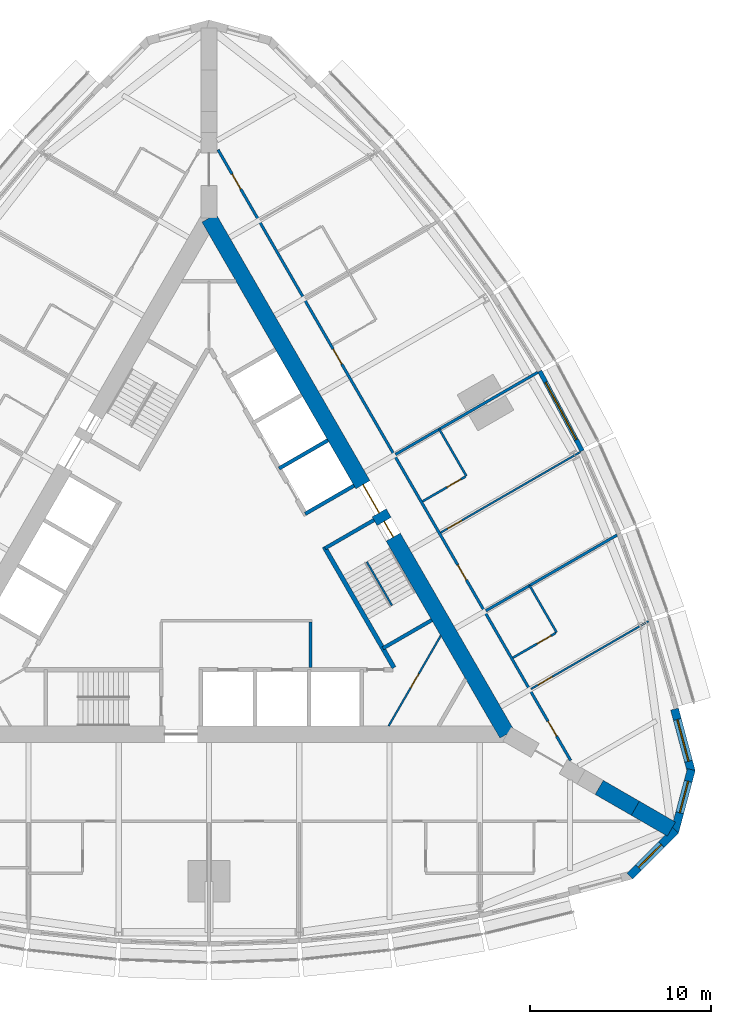
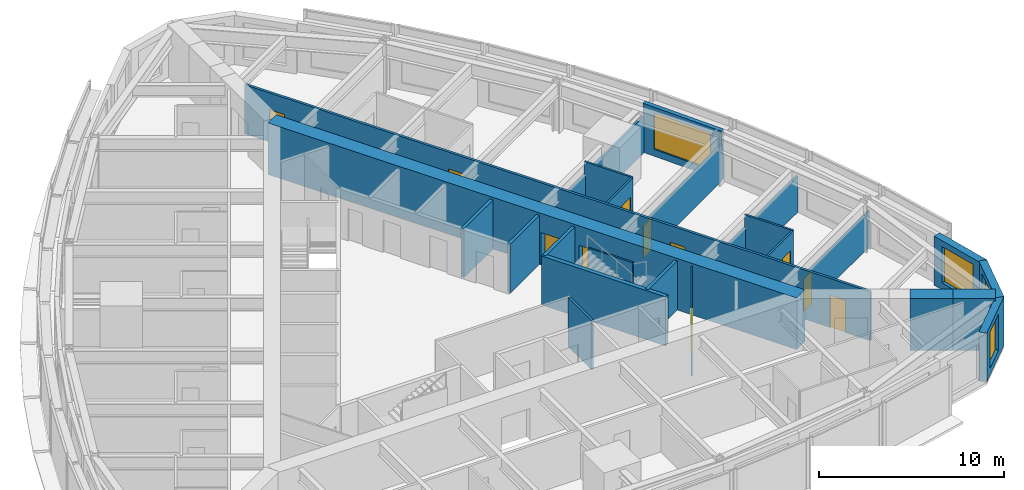
# One storey, part 11 of 14: 24 walls, 11 doors, 4 windows, 15 openings.
"""IFC4 building model written with IfcOpenShell, lengths in metres."""

from ifc_helpers import new_model, si_unit, direction, frame, frame_2d, origin, place, context, subcontext, project, spatial, polyline, rectangle, outline, extrude, material, layer, layer_set, type_object, element, fill, save


model = new_model("IFC4")

# Units and contexts
model_context = context("Model", 3, precision=1e-05, world=origin(), true_north=direction((0.0, 1.0)))
body_context = subcontext(model_context, "Body", "Model", "MODEL_VIEW")
ifc_project = project(units=[si_unit("LENGTHUNIT", "METRE"), si_unit("AREAUNIT", "SQUARE_METRE"), si_unit("VOLUMEUNIT", "CUBIC_METRE"), si_unit("PLANEANGLEUNIT", "RADIAN"), si_unit("MASSUNIT", "GRAM", prefix="KILO")], contexts=[model_context])

# Site, building, storey
site_placement = place(None, origin())
site = spatial("IfcSite", under=ifc_project, at=site_placement, CompositionType="ELEMENT")
building_placement = place(site_placement, origin())
building = spatial("IfcBuilding", under=site, at=building_placement, Name="Trikona Tower", CompositionType="ELEMENT")
storey_placement = place(building_placement, frame((0.0, 0.0, 179.300048828125)))
storey = spatial("IfcBuildingStorey", under=building, at=storey_placement, Name="L48", CompositionType="ELEMENT", Elevation=179.300048828125)

# Wall
ifc_material_1 = material(Name="Metal stud and cement board", Category="gypsum")
ifc_layer_1 = layer(ifc_material_1, 0.1201171875)
ifc_layer_set_1 = layer_set([ifc_layer_1], Name="Bathroom wall 120")
wall_type_1 = type_object("IfcWallType", Name="Bathroom wall 120", PredefinedType="PLUMBINGWALL", material=ifc_layer_set_1)
wall_1_placement = place(storey_placement, frame((19.25341796875, -3.895263671875, 0.0), z_axis=(0.0, 0.0, 1.0), x_axis=(-0.499990139034, 0.866031096941, 0.0)))
element("IfcWall", 1, at=wall_1_placement, inside=storey, type_object=wall_type_1, Name="Bathroom wall 4806.1", PredefinedType="PLUMBINGWALL", context=body_context, shape_type="SweptSolid", body=[
    extrude(rectangle(XDim=3.0, YDim=0.1201171875, at=frame_2d((1.5, 0.0))), origin(), (0.0, 0.0, 1.0), 3.23486328125),
])

# Wall, opening, door
wall_2_placement = place(storey_placement, frame((16.82861328125, -5.295166015625, 0.0), z_axis=(0.0, 0.0, 1.0), x_axis=(0.866035715982, 0.499982138324, 0.0)))
wall_2 = element("IfcWall", 2, at=wall_2_placement, inside=storey, type_object=wall_type_1, Name="Bathroom wall 4806.1", PredefinedType="PLUMBINGWALL", context=body_context, shape_type="SweptSolid", body=[
    extrude(rectangle(XDim=2.73974609375, YDim=0.1201171875, at=frame_2d((1.369873046875, 0.0))), origin(), (0.0, 0.0, 1.0), 3.23486328125),
])
opening_1_placement = place(wall_2_placement, frame((1.550048828125, 0.0, 0.0)))
opening_1 = element("IfcOpeningElement", 3, at=opening_1_placement, cuts=wall_2, Name="Opening D2", PredefinedType="OPENING", context=body_context, shape_type="SweptSolid", body=[
    extrude(rectangle(XDim=0.89990234375, YDim=2.1298828125, at=frame_2d((0.449951171875, 1.06494140625))), frame((0.0, 0.070068359375, 0.0), z_axis=(0.0, -1.0, 0.0), x_axis=(1.0, 0.0, 0.0)), (0.0, 0.0, 1.0), 0.14013671875),
])
ifc_material_2 = material(Name="Steel door frame with solid-core timber leaf", Category="steel")
door_type_1 = type_object("IfcDoorType", Name="Bathroom door 900x2130", OperationType="SLIDING_TO_LEFT", PredefinedType="DOOR", material=ifc_material_2)
door_1_placement = place(opening_1_placement, origin())
door_1 = element("IfcDoor", 4, at=door_1_placement, inside=storey, type_object=door_type_1, Name="Bathroom door 4806.1", OperationType="SLIDING_TO_LEFT", OverallHeight=2.1298828125, OverallWidth=0.89990234375, PredefinedType="DOOR", context=body_context, shape_type="SweptSolid", body=[
    extrude(rectangle(XDim=0.89990234375, YDim=2.1298828125, at=frame_2d((0.449951171875, 1.06494140625))), frame((0.0, 0.02490234375, 0.0), z_axis=(0.0, -1.0, 0.0), x_axis=(1.0, 0.0, 0.0)), (0.0, 0.0, 1.0), 0.050048828125),
])
fill(opening_1, door_1)

# Wall
wall_3_placement = place(storey_placement, frame((14.25341796875, 4.76513671875, 0.0), z_axis=(0.0, 0.0, 1.0), x_axis=(-0.50002537861, 0.866010750942, 0.0)))
element("IfcWall", 5, at=wall_3_placement, inside=storey, type_object=wall_type_1, Name="Bathroom wall 4807.1", PredefinedType="PLUMBINGWALL", context=body_context, shape_type="SweptSolid", body=[
    extrude(rectangle(XDim=2.999755859375, YDim=0.1201171875, at=frame_2d((1.5, 0.0))), origin(), (0.0, 0.0, 1.0), 3.23486328125),
])

# Wall, opening, door
wall_4_placement = place(storey_placement, frame((11.82861328125, 3.364990234375, 0.0), z_axis=(0.0, 0.0, 1.0), x_axis=(0.865997131366, 0.500048966069, 0.0)))
wall_4 = element("IfcWall", 6, at=wall_4_placement, inside=storey, type_object=wall_type_1, Name="Bathroom wall 4807.1", PredefinedType="PLUMBINGWALL", context=body_context, shape_type="SweptSolid", body=[
    extrude(rectangle(XDim=2.739990234375, YDim=0.1201171875, at=frame_2d((1.3701171875, 0.0))), origin(), (0.0, 0.0, 1.0), 3.23486328125),
])
opening_2_placement = place(wall_4_placement, frame((1.550048828125, 0.0, 0.0)))
opening_2 = element("IfcOpeningElement", 7, at=opening_2_placement, cuts=wall_4, Name="Opening D2", PredefinedType="OPENING", context=body_context, shape_type="SweptSolid", body=[
    extrude(rectangle(XDim=0.89990234375, YDim=2.1298828125, at=frame_2d((0.449951171875, 1.06494140625))), frame((0.0, 0.070068359375, 0.0), z_axis=(0.0, -1.0, 0.0), x_axis=(1.0, 0.0, 0.0)), (0.0, 0.0, 1.0), 0.14013671875),
])
door_2_placement = place(opening_2_placement, origin())
door_2 = element("IfcDoor", 8, at=door_2_placement, inside=storey, type_object=door_type_1, Name="Bathroom door 4807.1", OperationType="SLIDING_TO_LEFT", OverallHeight=2.1298828125, OverallWidth=0.89990234375, PredefinedType="DOOR", context=body_context, shape_type="SweptSolid", body=[
    extrude(rectangle(XDim=0.89990234375, YDim=2.1298828125, at=frame_2d((0.449951171875, 1.06494140625))), frame((0.0, 0.02490234375, 0.0), z_axis=(0.0, -1.0, 0.0), x_axis=(1.0, 0.0, 0.0)), (0.0, 0.0, 1.0), 0.050048828125),
])
fill(opening_2, door_2)

# Wall, opening, window
ifc_material_3 = material(Name="Brick-faced precast concrete", Category="masonry")
ifc_layer_2 = layer(ifc_material_3, 0.449951171875)
ifc_layer_set_2 = layer_set([ifc_layer_2], Name="Brick-faced corner wall 450")
wall_type_2 = type_object("IfcWallType", Name="Brick-faced corner wall 450", PredefinedType="SOLIDWALL", material=ifc_layer_set_2)
wall_5_placement = place(storey_placement, frame((23.304931640625, -17.387939453125, 0.0), z_axis=(0.0, 0.0, 1.0), x_axis=(0.707106781187, 0.707106781187, 0.0)))
wall_5 = element("IfcWall", 9, at=wall_5_placement, inside=storey, type_object=wall_type_2, Name="External wall L48-09", PredefinedType="SOLIDWALL", context=body_context, shape_type="SweptSolid", body=[
    extrude(outline(polyline([(3.586181640625, 0.22509765625), (3.527099609375, 0.22509765625), (3.03515625, 0.09326171875), (3.0, 0.22509765625), (0.0, 0.22509765625), (0.0, -0.22509765625), (3.586181640625, -0.22509765625), (3.586181640625, 0.22509765625)])), origin(), (0.0, 0.0, 1.0), 3.23486328125),
])
opening_3_placement = place(wall_5_placement, frame((0.6748046875, 0.0, 0.449951171875)))
opening_3 = element("IfcOpeningElement", 10, at=opening_3_placement, cuts=wall_5, Name="Opening W1824", PredefinedType="OPENING", context=body_context, shape_type="SweptSolid", body=[
    extrude(rectangle(XDim=1.800048828125, YDim=2.39990234375, at=frame_2d((0.89990234375, 1.199951171875))), frame((0.0, 0.23486328125, 0.0), z_axis=(0.0, -1.0, 0.0), x_axis=(1.0, 0.0, 0.0)), (0.0, 0.0, 1.0), 0.469970703125),
])
ifc_material_4 = material(Name="Aluminium-framed double glazing", Category="aluminium")
window_type_1 = type_object("IfcWindowType", Name="Window 1800x2400", PartitioningType="SINGLE_PANEL", PredefinedType="WINDOW", material=ifc_material_4)
window_1_placement = place(opening_3_placement, origin())
window_1 = element("IfcWindow", 11, at=window_1_placement, inside=storey, type_object=window_type_1, Name="Window 4805", OverallHeight=2.39990234375, OverallWidth=1.800048828125, PartitioningType="SINGLE_PANEL", PredefinedType="WINDOW", context=body_context, shape_type="SweptSolid", body=[
    extrude(rectangle(XDim=1.800048828125, YDim=2.39990234375, at=frame_2d((0.89990234375, 1.199951171875))), frame((0.0, 0.030029296875, 0.0), z_axis=(0.0, -1.0, 0.0), x_axis=(1.0, 0.0, 0.0)), (0.0, 0.0, 1.0), 0.06005859375),
])
fill(opening_3, window_1)

wall_6_placement = place(storey_placement, frame((25.78271484375, -14.952880859375, 0.0), z_axis=(0.0, 0.0, 1.0), x_axis=(0.258823421857, 0.965924653531, 0.0)))
wall_6 = element("IfcWall", 12, at=wall_6_placement, inside=storey, type_object=wall_type_2, Name="External wall L48-10", PredefinedType="SOLIDWALL", context=body_context, shape_type="SweptSolid", body=[
    extrude(outline(polyline([(3.58642578125, 0.22509765625), (0.58642578125, 0.22509765625), (0.551025390625, 0.09326171875), (0.0595703125, 0.22509765625), (0.0, 0.22509765625), (0.0, -0.22509765625), (3.58642578125, -0.22509765625), (3.58642578125, 0.22509765625)])), origin(), (0.0, 0.0, 1.0), 3.23486328125),
])
opening_4_placement = place(wall_6_placement, frame((1.111328125, 0.0, 0.449951171875)))
opening_4 = element("IfcOpeningElement", 13, at=opening_4_placement, cuts=wall_6, Name="Opening W1824", PredefinedType="OPENING", context=body_context, shape_type="SweptSolid", body=[
    extrude(rectangle(XDim=1.800048828125, YDim=2.39990234375, at=frame_2d((0.89990234375, 1.199951171875))), frame((0.0, 0.23486328125, 0.0), z_axis=(0.0, -1.0, 0.0), x_axis=(1.0, 0.0, 0.0)), (0.0, 0.0, 1.0), 0.469970703125),
])
window_2_placement = place(opening_4_placement, origin())
window_2 = element("IfcWindow", 14, at=window_2_placement, inside=storey, type_object=window_type_1, Name="Window 4806", OverallHeight=2.39990234375, OverallWidth=1.800048828125, PartitioningType="SINGLE_PANEL", PredefinedType="WINDOW", context=body_context, shape_type="SweptSolid", body=[
    extrude(rectangle(XDim=1.800048828125, YDim=2.39990234375, at=frame_2d((0.89990234375, 1.199951171875))), frame((0.0, 0.030029296875, 0.0), z_axis=(0.0, -1.0, 0.0), x_axis=(1.0, 0.0, 0.0)), (0.0, 0.0, 1.0), 0.06005859375),
])
fill(opening_4, window_2)

wall_7_placement = place(storey_placement, frame((26.7109375, -11.605224609375, 0.0), z_axis=(0.0, 0.0, 1.0), x_axis=(-0.258823421857, 0.965924653531, 0.0)))
wall_7 = element("IfcWall", 15, at=wall_7_placement, inside=storey, type_object=wall_type_2, Name="External wall L48-11", PredefinedType="SOLIDWALL", context=body_context, shape_type="SweptSolid", body=[
    extrude(rectangle(XDim=3.58642578125, YDim=0.449951171875, at=frame_2d((1.793212890625, 0.0))), origin(), (0.0, 0.0, 1.0), 3.23486328125),
])
opening_5_placement = place(wall_7_placement, frame((0.593017578125, 0.0, 0.449951171875)))
opening_5 = element("IfcOpeningElement", 16, at=opening_5_placement, cuts=wall_7, Name="Opening W2424", PredefinedType="OPENING", context=body_context, shape_type="SweptSolid", body=[
    extrude(rectangle(XDim=2.39990234375, YDim=2.39990234375, at=frame_2d((1.199951171875, 1.199951171875))), frame((0.0, 0.23486328125, 0.0), z_axis=(0.0, -1.0, 0.0), x_axis=(1.0, 0.0, 0.0)), (0.0, 0.0, 1.0), 0.469970703125),
])
ifc_material_5 = material(Name="Aluminium-framed double glazing", Category="aluminium")
window_type_2 = type_object("IfcWindowType", Name="Window 2400x2400", PartitioningType="SINGLE_PANEL", PredefinedType="WINDOW", material=ifc_material_5)
window_3_placement = place(opening_5_placement, origin())
window_3 = element("IfcWindow", 17, at=window_3_placement, inside=storey, type_object=window_type_2, Name="Window 4806", OverallHeight=2.39990234375, OverallWidth=2.39990234375, PartitioningType="SINGLE_PANEL", PredefinedType="WINDOW", context=body_context, shape_type="SweptSolid", body=[
    extrude(rectangle(XDim=2.39990234375, YDim=2.39990234375, at=frame_2d((1.199951171875, 1.199951171875))), frame((0.0, 0.030029296875, 0.0), z_axis=(0.0, -1.0, 0.0), x_axis=(1.0, 0.0, 0.0)), (0.0, 0.0, 1.0), 0.06005859375),
])
fill(opening_5, window_3)

# Walls
ifc_material_6 = material(Name="Concrete f'c 10000 psi", Category="concrete")
ifc_layer_3 = layer(ifc_material_6, 0.89990234375)
ifc_layer_set_3 = layer_set([ifc_layer_3], Name="Buttress wall 900")
wall_type_3 = type_object("IfcWallType", Name="Buttress wall 900", PredefinedType="SHEAR", material=ifc_layer_set_3)
for number, where, z_axis, x_axis, name in (
    (18, (21.6103515625, -12.476806640625, 0.0), (0.0, 0.0, 1.0), (0.866055313784, -0.499948190782, 0.0), "Buttress wall 1 part 3"),
    (19, (23.6103515625, -13.63134765625, 0.0), (0.0, 0.0, 1.0), (0.866009537788, -0.500027479704, 0.0), "Buttress wall 1 part 4"),
):
    element("IfcWall", number, at=place(storey_placement, frame(where, z_axis=z_axis, x_axis=x_axis)), inside=storey, type_object=wall_type_3, Name=name, PredefinedType="SHEAR", context=body_context, shape_type="SweptSolid", body=[
        extrude(rectangle(XDim=2.309326171875, YDim=0.89990234375, at=frame_2d((1.15478515625, 0.0))), origin(), (0.0, 0.0, 1.0), 3.39990234375),
    ])

# Wall, openings, doors
ifc_material_7 = material(Name="Concrete f'c 10000 psi", Category="concrete")
ifc_layer_4 = layer(ifc_material_7, 0.89990234375)
ifc_layer_set_4 = layer_set([ifc_layer_4], Name="Core wall 900")
wall_type_4 = type_object("IfcWallType", Name="Core wall 900", PredefinedType="SHEAR", material=ifc_layer_set_4)
wall_8_placement = place(storey_placement, frame((16.5, -9.5263671875, 0.0), z_axis=(0.0, 0.0, 1.0), x_axis=(-0.499999749417, 0.866025548458, 0.0)))
wall_8 = element("IfcWall", 20, at=wall_8_placement, inside=storey, type_object=wall_type_4, Name="Core wall B", PredefinedType="SHEAR", context=body_context, shape_type="SweptSolid", body=[
    extrude(rectangle(XDim=33.0, YDim=0.89990234375, at=frame_2d((16.5, 0.0))), origin(), (0.0, 0.0, 1.0), 3.39990234375),
])
opening_6_placement = place(wall_8_placement, frame((14.14990234375, 0.0, 0.0)))
opening_6 = element("IfcOpeningElement", 21, at=opening_6_placement, cuts=wall_8, Name="Opening D6", PredefinedType="OPENING", context=body_context, shape_type="SweptSolid", body=[
    extrude(rectangle(XDim=1.800048828125, YDim=2.1298828125, at=frame_2d((0.89990234375, 1.06494140625))), frame((0.0, 0.4599609375, 0.0), z_axis=(0.0, -1.0, 0.0), x_axis=(1.0, 0.0, 0.0)), (0.0, 0.0, 1.0), 0.919921875),
])
opening_7_placement = place(wall_8_placement, frame((12.60009765625, 0.0, 0.0)))
opening_7 = element("IfcOpeningElement", 22, at=opening_7_placement, cuts=wall_8, Name="Opening D5", PredefinedType="OPENING", context=body_context, shape_type="SweptSolid", body=[
    extrude(rectangle(XDim=1.0, YDim=2.1298828125, at=frame_2d((0.5, 1.06494140625))), frame((0.0, 0.4599609375, 0.0), z_axis=(0.0, -1.0, 0.0), x_axis=(1.0, 0.0, 0.0)), (0.0, 0.0, 1.0), 0.919921875),
])
ifc_material_8 = material(Name="Hollow metal door and frame", Category="steel")
door_type_2 = type_object("IfcDoorType", Name="Lobby door pair 1800x2130", OperationType="DOUBLE_DOOR_SINGLE_SWING", PredefinedType="DOOR", material=ifc_material_8)
door_3_placement = place(opening_6_placement, origin())
door_3 = element("IfcDoor", 23, at=door_3_placement, inside=storey, type_object=door_type_2, Name="Lift lobby door B", OperationType="DOUBLE_DOOR_SINGLE_SWING", OverallHeight=2.1298828125, OverallWidth=1.800048828125, PredefinedType="DOOR", context=body_context, shape_type="SweptSolid", body=[
    extrude(rectangle(XDim=1.800048828125, YDim=2.1298828125, at=frame_2d((0.89990234375, 1.06494140625))), frame((0.0, 0.02490234375, 0.0), z_axis=(0.0, -1.0, 0.0), x_axis=(1.0, 0.0, 0.0)), (0.0, 0.0, 1.0), 0.050048828125),
])
fill(opening_6, door_3)
ifc_material_9 = material(Name="Hollow metal door and frame", Category="steel")
door_type_3 = type_object("IfcDoorType", Name="Stair door 1000x2130", OperationType="SINGLE_SWING_LEFT", PredefinedType="DOOR", material=ifc_material_9)
door_4_placement = place(opening_7_placement, origin())
door_4 = element("IfcDoor", 24, at=door_4_placement, inside=storey, type_object=door_type_3, Name="Stair B door", OperationType="SINGLE_SWING_RIGHT", OverallHeight=2.1298828125, OverallWidth=1.0, PredefinedType="DOOR", context=body_context, shape_type="SweptSolid", body=[
    extrude(rectangle(XDim=1.0, YDim=2.1298828125, at=frame_2d((0.5, 1.06494140625))), frame((0.0, 0.02490234375, 0.0), z_axis=(0.0, -1.0, 0.0), x_axis=(1.0, 0.0, 0.0)), (0.0, 0.0, 1.0), 0.050048828125),
])
fill(opening_7, door_4)

ifc_material_10 = material(Name="Metal stud and gypsum board, 1-hour", Category="gypsum")
ifc_layer_5 = layer(ifc_material_10, 0.14990234375)
ifc_layer_set_5 = layer_set([ifc_layer_5], Name="Corridor wall 150")
wall_type_5 = type_object("IfcWallType", Name="Corridor wall 150", PredefinedType="PARTITIONING", material=ifc_layer_set_5)
wall_9_placement = place(storey_placement, frame((20.027099609375, -10.9853515625, 0.0), z_axis=(0.0, 0.0, 1.0), x_axis=(-0.500001677587, 0.866024435227, 0.0)))
wall_9 = element("IfcWall", 25, at=wall_9_placement, inside=storey, type_object=wall_type_5, Name="Corridor wall L48-2", PredefinedType="PARTITIONING", context=body_context, shape_type="SweptSolid", body=[
    extrude(rectangle(XDim=39.053955078125, YDim=0.14990234375, at=frame_2d((19.52685546875, 0.0))), origin(), (0.0, 0.0, 1.0), 3.23486328125),
])
opening_8_placement = place(wall_9_placement, frame((1.558349609375, 0.0, 0.0)))
opening_8 = element("IfcOpeningElement", 26, at=opening_8_placement, cuts=wall_9, Name="Opening D1", PredefinedType="OPENING", context=body_context, shape_type="SweptSolid", body=[
    extrude(rectangle(XDim=0.949951171875, YDim=2.1298828125, at=frame_2d((0.47509765625, 1.06494140625))), frame((0.0, 0.0849609375, 0.0), z_axis=(0.0, -1.0, 0.0), x_axis=(1.0, 0.0, 0.0)), (0.0, 0.0, 1.0), 0.169921875),
])
opening_9_placement = place(wall_9_placement, frame((11.552001953125, 0.0, 0.0)))
opening_9 = element("IfcOpeningElement", 27, at=opening_9_placement, cuts=wall_9, Name="Opening D1", PredefinedType="OPENING", context=body_context, shape_type="SweptSolid", body=[
    extrude(rectangle(XDim=0.949951171875, YDim=2.1298828125, at=frame_2d((0.47509765625, 1.06494140625))), frame((0.0, 0.0849609375, 0.0), z_axis=(0.0, -1.0, 0.0), x_axis=(1.0, 0.0, 0.0)), (0.0, 0.0, 1.0), 0.169921875),
])
opening_10_placement = place(wall_9_placement, frame((25.35205078125, 0.0, 0.0)))
opening_10 = element("IfcOpeningElement", 28, at=opening_10_placement, cuts=wall_9, Name="Opening D1", PredefinedType="OPENING", context=body_context, shape_type="SweptSolid", body=[
    extrude(rectangle(XDim=0.949951171875, YDim=2.1298828125, at=frame_2d((0.47509765625, 1.06494140625))), frame((0.0, 0.0849609375, 0.0), z_axis=(0.0, -1.0, 0.0), x_axis=(1.0, 0.0, 0.0)), (0.0, 0.0, 1.0), 0.169921875),
])
opening_11_placement = place(wall_9_placement, frame((36.545654296875, 0.0, 0.0)))
opening_11 = element("IfcOpeningElement", 29, at=opening_11_placement, cuts=wall_9, Name="Opening D1", PredefinedType="OPENING", context=body_context, shape_type="SweptSolid", body=[
    extrude(rectangle(XDim=0.949951171875, YDim=2.1298828125, at=frame_2d((0.47509765625, 1.06494140625))), frame((0.0, 0.0849609375, 0.0), z_axis=(0.0, -1.0, 0.0), x_axis=(1.0, 0.0, 0.0)), (0.0, 0.0, 1.0), 0.169921875),
])
ifc_material_11 = material(Name="Steel door frame with solid-core timber leaf", Category="steel")
door_type_4 = type_object("IfcDoorType", Name="Guest room door 950x2130", OperationType="SINGLE_SWING_LEFT", PredefinedType="DOOR", material=ifc_material_11)
door_5_placement = place(opening_8_placement, origin())
door_5 = element("IfcDoor", 30, at=door_5_placement, inside=storey, type_object=door_type_4, Name="Room door 4806", OperationType="SINGLE_SWING_LEFT", OverallHeight=2.1298828125, OverallWidth=0.949951171875, PredefinedType="DOOR", context=body_context, shape_type="SweptSolid", body=[
    extrude(rectangle(XDim=0.949951171875, YDim=2.1298828125, at=frame_2d((0.47509765625, 1.06494140625))), frame((0.0, 0.02490234375, 0.0), z_axis=(0.0, -1.0, 0.0), x_axis=(1.0, 0.0, 0.0)), (0.0, 0.0, 1.0), 0.050048828125),
])
fill(opening_8, door_5)
door_6_placement = place(opening_9_placement, origin())
door_6 = element("IfcDoor", 31, at=door_6_placement, inside=storey, type_object=door_type_4, Name="Room door 4807", OperationType="SINGLE_SWING_RIGHT", OverallHeight=2.1298828125, OverallWidth=0.949951171875, PredefinedType="DOOR", context=body_context, shape_type="SweptSolid", body=[
    extrude(rectangle(XDim=0.949951171875, YDim=2.1298828125, at=frame_2d((0.47509765625, 1.06494140625))), frame((0.0, 0.02490234375, 0.0), z_axis=(0.0, -1.0, 0.0), x_axis=(1.0, 0.0, 0.0)), (0.0, 0.0, 1.0), 0.050048828125),
])
fill(opening_9, door_6)
door_7_placement = place(opening_10_placement, origin())
door_7 = element("IfcDoor", 32, at=door_7_placement, inside=storey, type_object=door_type_4, Name="Room door 4808", OperationType="SINGLE_SWING_LEFT", OverallHeight=2.1298828125, OverallWidth=0.949951171875, PredefinedType="DOOR", context=body_context, shape_type="SweptSolid", body=[
    extrude(rectangle(XDim=0.949951171875, YDim=2.1298828125, at=frame_2d((0.47509765625, 1.06494140625))), frame((0.0, 0.02490234375, 0.0), z_axis=(0.0, -1.0, 0.0), x_axis=(1.0, 0.0, 0.0)), (0.0, 0.0, 1.0), 0.050048828125),
])
fill(opening_10, door_7)
door_8_placement = place(opening_11_placement, origin())
door_8 = element("IfcDoor", 33, at=door_8_placement, inside=storey, type_object=door_type_4, Name="Room door 4809", OperationType="SINGLE_SWING_RIGHT", OverallHeight=2.1298828125, OverallWidth=0.949951171875, PredefinedType="DOOR", context=body_context, shape_type="SweptSolid", body=[
    extrude(rectangle(XDim=0.949951171875, YDim=2.1298828125, at=frame_2d((0.47509765625, 1.06494140625))), frame((0.0, 0.02490234375, 0.0), z_axis=(0.0, -1.0, 0.0), x_axis=(1.0, 0.0, 0.0)), (0.0, 0.0, 1.0), 0.050048828125),
])
fill(opening_11, door_8)

# Wall
ifc_material_12 = material(Name="Concrete f'c 8000 psi", Category="concrete")
ifc_layer_6 = layer(ifc_material_12, 0.25)
ifc_layer_set_6 = layer_set([ifc_layer_6], Name="Hub wall 250")
wall_type_6 = type_object("IfcWallType", Name="Hub wall 250", PredefinedType="SOLIDWALL", material=ifc_layer_set_6)
wall_10_placement = place(storey_placement, frame((10.245361328125, -5.843017578125, 0.0), z_axis=(0.0, 0.0, 1.0), x_axis=(-0.499993009313, 0.866029439822, 0.0)))
element("IfcWall", 34, at=wall_10_placement, inside=storey, type_object=wall_type_6, Name="Lift lobby wall B1", PredefinedType="SOLIDWALL", context=body_context, shape_type="SweptSolid", body=[
    extrude(rectangle(XDim=7.73291015625, YDim=0.25, at=frame_2d((3.866455078125, 0.0))), origin(), (0.0, 0.0, 1.0), 3.23486328125),
])

# Wall, opening, window
ifc_material_13 = material(Name="Insulated precast concrete spandrel panel", Category="concrete")
ifc_layer_7 = layer(ifc_material_13, 0.25)
ifc_layer_set_7 = layer_set([ifc_layer_7], Name="Inner skin wall 250")
wall_type_7 = type_object("IfcWallType", Name="Inner skin wall 250", PredefinedType="STANDARD", material=ifc_layer_set_7)
wall_11_placement = place(storey_placement, frame((20.662841796875, 6.161376953125, 0.0), z_axis=(0.0, 0.0, 1.0), x_axis=(-0.469404966864, 0.882982999317, 0.0)))
wall_11 = element("IfcWall", 35, at=wall_11_placement, inside=storey, type_object=wall_type_7, Name="External wall L48-15", PredefinedType="STANDARD", context=body_context, shape_type="SweptSolid", body=[
    extrude(rectangle(XDim=5.0029296875, YDim=0.25, at=frame_2d((2.50146484375, 0.0))), origin(), (0.0, 0.0, 1.0), 3.23486328125),
])
opening_12_placement = place(wall_11_placement, frame((0.701416015625, 0.0, 0.449951171875)))
opening_12 = element("IfcOpeningElement", 36, at=opening_12_placement, cuts=wall_11, Name="Opening W3624", PredefinedType="OPENING", context=body_context, shape_type="SweptSolid", body=[
    extrude(rectangle(XDim=3.60009765625, YDim=2.39990234375, at=frame_2d((1.800048828125, 1.199951171875))), frame((0.0, 0.135009765625, 0.0), z_axis=(0.0, -1.0, 0.0), x_axis=(1.0, 0.0, 0.0)), (0.0, 0.0, 1.0), 0.27001953125),
])
ifc_material_14 = material(Name="Aluminium-framed double glazing", Category="aluminium")
window_type_3 = type_object("IfcWindowType", Name="Window 3600x2400", PartitioningType="SINGLE_PANEL", PredefinedType="WINDOW", material=ifc_material_14)
window_4_placement = place(opening_12_placement, origin())
window_4 = element("IfcWindow", 37, at=window_4_placement, inside=storey, type_object=window_type_3, Name="Window 4807.1", OverallHeight=2.39990234375, OverallWidth=3.60009765625, PartitioningType="SINGLE_PANEL", PredefinedType="WINDOW", context=body_context, shape_type="SweptSolid", body=[
    extrude(rectangle(XDim=3.60009765625, YDim=2.39990234375, at=frame_2d((1.800048828125, 1.199951171875))), frame((0.0, 0.030029296875, 0.0), z_axis=(0.0, -1.0, 0.0), x_axis=(1.0, 0.0, 0.0)), (0.0, 0.0, 1.0), 0.06005859375),
])
fill(opening_12, window_4)

# Walls
ifc_material_15 = material(Name="Metal stud and gypsum board, 2-hour shaft wall", Category="gypsum")
ifc_layer_8 = layer(ifc_material_15, 0.14990234375)
ifc_layer_set_8 = layer_set([ifc_layer_8], Name="Lobby wall 150")
wall_type_8 = type_object("IfcWallType", Name="Lobby wall 150", PredefinedType="PARTITIONING", material=ifc_layer_set_8)
wall_12_placement = place(storey_placement, frame((5.625, -5.826416015625, 0.0), z_axis=(0.0, 0.0, 1.0), x_axis=(0.0, 1.0, 0.0)))
element("IfcWall", 38, at=wall_12_placement, inside=storey, type_object=wall_type_8, Name="Fire service lift lobby wall 3", PredefinedType="PARTITIONING", context=body_context, shape_type="SweptSolid", body=[
    extrude(rectangle(XDim=2.5, YDim=0.14990234375, at=frame_2d((1.25, 0.0))), origin(), (0.0, 0.0, 1.0), 3.23486328125),
])
ifc_material_16 = material(Name="Metal stud and gypsum board, 1-hour acoustic", Category="gypsum")
ifc_layer_9 = layer(ifc_material_16, 0.14990234375)
ifc_layer_set_9 = layer_set([ifc_layer_9], Name="Party wall 150")
wall_type_9 = type_object("IfcWallType", Name="Party wall 150", PredefinedType="PARTITIONING", material=ifc_layer_set_9)
wall_13_placement = place(storey_placement, frame((15.32861328125, -2.697021484375, 0.0), z_axis=(0.0, 0.0, 1.0), x_axis=(0.866024316602, 0.50000188305, 0.0)))
element("IfcWall", 39, at=wall_13_placement, inside=storey, type_object=wall_type_9, Name="Partition L48 F2 u-10", PredefinedType="PARTITIONING", context=body_context, shape_type="SweptSolid", body=[
    extrude(rectangle(XDim=8.39501953125, YDim=0.14990234375, at=frame_2d((4.197509765625, 0.0))), origin(), (0.0, 0.0, 1.0), 2.38916015625),
])
wall_14_placement = place(storey_placement, frame((10.32861328125, 5.963134765625, 0.0), z_axis=(0.0, 0.0, 1.0), x_axis=(0.866025170687, 0.500000403736, 0.0)))
element("IfcWall", 40, at=wall_14_placement, inside=storey, type_object=wall_type_9, Name="Partition L48 F2 u-4.44089e-15", PredefinedType="PARTITIONING", context=body_context, shape_type="SweptSolid", body=[
    extrude(rectangle(XDim=9.0986328125, YDim=0.14990234375, at=frame_2d((4.54931640625, 0.0))), origin(), (0.0, 0.0, 1.0), 2.38916015625),
])
ifc_material_17 = material(Name="Concrete f'c 8000 psi", Category="concrete")
ifc_layer_10 = layer(ifc_material_17, 0.199951171875)
ifc_layer_set_10 = layer_set([ifc_layer_10], Name="Shaft wall 200")
wall_type_10 = type_object("IfcWallType", Name="Shaft wall 200", PredefinedType="SOLIDWALL", material=ifc_layer_set_10)
for number, where, z_axis, x_axis, name in (
    (41, (5.3291015625, 2.672607421875, 0.0), (0.0, 0.0, 1.0), (0.866022959057, 0.500004234368, 0.0), "Shaft wall B3"),
    (42, (3.87890625, 5.18408203125, 0.0), (0.0, 0.0, 1.0), (0.866022959057, 0.500004234368, 0.0), "Shaft wall B4"),
):
    element("IfcWall", number, at=place(storey_placement, frame(where, z_axis=z_axis, x_axis=x_axis)), inside=storey, type_object=wall_type_10, Name=name, PredefinedType="SOLIDWALL", context=body_context, shape_type="SweptSolid", body=[
        extrude(rectangle(XDim=3.125, YDim=0.199951171875, at=frame_2d((1.5625, 0.0))), origin(), (0.0, 0.0, 1.0), 3.23486328125),
    ])
ifc_material_18 = material(Name="Concrete f'c 8000 psi", Category="concrete")
ifc_layer_11 = layer(ifc_material_18, 0.199951171875)
ifc_layer_set_11 = layer_set([ifc_layer_11], Name="Shaft wall 200 load-bearing")
wall_type_11 = type_object("IfcWallType", Name="Shaft wall 200 load-bearing", PredefinedType="SOLIDWALL", material=ifc_layer_set_11)
for number, where, z_axis, x_axis, name in (
    (43, (9.62890625, -4.775390625, 0.0), (0.0, 0.0, 1.0), (0.866022959057, 0.500004234368, 0.0), "Shaft wall B1"),
    (44, (6.428955078125, 0.767333984375, 0.0), (0.0, 0.0, 1.0), (0.866022959057, 0.500004234368, 0.0), "Shaft wall B2"),
):
    element("IfcWall", number, at=place(storey_placement, frame(where, z_axis=z_axis, x_axis=x_axis)), inside=storey, type_object=wall_type_11, Name=name, PredefinedType="SOLIDWALL", context=body_context, shape_type="SweptSolid", body=[
        extrude(rectangle(XDim=3.125, YDim=0.199951171875, at=frame_2d((1.5625, 0.0))), origin(), (0.0, 0.0, 1.0), 3.23486328125),
    ])
ifc_material_19 = material(Name="Concrete f'c 5000 psi", Category="concrete")
ifc_layer_12 = layer(ifc_material_19, 0.10009765625)
ifc_layer_set_12 = layer_set([ifc_layer_12], Name="Stair spine wall 100")
wall_type_12 = type_object("IfcWallType", Name="Stair spine wall 100", PredefinedType="SOLIDWALL", material=ifc_layer_set_12)
wall_15_placement = place(storey_placement, frame((10.134765625, -2.4013671875, 0.0), z_axis=(0.0, 0.0, 1.0), x_axis=(-0.499992232847, 0.866029888106, 0.0)))
element("IfcWall", 45, at=wall_15_placement, inside=storey, type_object=wall_type_12, Name="Stair B spine wall L48", PredefinedType="SOLIDWALL", context=body_context, shape_type="SweptSolid", body=[
    extrude(rectangle(XDim=2.7939453125, YDim=0.10009765625, at=frame_2d((1.39697265625, 0.0))), origin(), (0.0, 0.0, 1.0), 3.39990234375),
])

# Wall, opening, door
ifc_material_20 = material(Name="Metal stud and gypsum board, acoustic", Category="gypsum")
ifc_layer_13 = layer(ifc_material_20, 0.10009765625)
ifc_layer_set_13 = layer_set([ifc_layer_13], Name="Suite partition 100")
wall_type_13 = type_object("IfcWallType", Name="Suite partition 100", PredefinedType="PARTITIONING", material=ifc_layer_set_13)
wall_16_placement = place(storey_placement, frame((17.82861328125, -7.027099609375, 0.0), z_axis=(0.0, 0.0, 1.0), x_axis=(0.866029804378, 0.499992377871, 0.0)))
wall_16 = element("IfcWall", 46, at=wall_16_placement, inside=storey, type_object=wall_type_13, Name="Suite partition L48 F2 u-15", PredefinedType="PARTITIONING", context=body_context, shape_type="SweptSolid", body=[
    extrude(rectangle(XDim=7.51611328125, YDim=0.10009765625, at=frame_2d((3.758056640625, 0.0))), origin(), (0.0, 0.0, 1.0), 2.38916015625),
])
opening_13_placement = place(wall_16_placement, frame((0.449951171875, 0.0, 0.0)))
opening_13 = element("IfcOpeningElement", 47, at=opening_13_placement, cuts=wall_16, Name="Opening D13", PredefinedType="OPENING", context=body_context, shape_type="SweptSolid", body=[
    extrude(rectangle(XDim=0.89990234375, YDim=2.1298828125, at=frame_2d((0.449951171875, 1.06494140625))), frame((0.0, 0.06005859375, 0.0), z_axis=(0.0, -1.0, 0.0), x_axis=(1.0, 0.0, 0.0)), (0.0, 0.0, 1.0), 0.1201171875),
])
ifc_material_21 = material(Name="Steel door frame with solid-core timber leaf", Category="steel")
door_type_5 = type_object("IfcDoorType", Name="Suite door 900x2130", OperationType="SINGLE_SWING_LEFT", PredefinedType="DOOR", material=ifc_material_21)
door_9_placement = place(opening_13_placement, origin())
door_9 = element("IfcDoor", 48, at=door_9_placement, inside=storey, type_object=door_type_5, Name="Suite door 4806", OperationType="SINGLE_SWING_LEFT", OverallHeight=2.1298828125, OverallWidth=0.89990234375, PredefinedType="DOOR", context=body_context, shape_type="SweptSolid", body=[
    extrude(rectangle(XDim=0.89990234375, YDim=2.1298828125, at=frame_2d((0.449951171875, 1.06494140625))), frame((0.0, 0.02490234375, 0.0), z_axis=(0.0, -1.0, 0.0), x_axis=(1.0, 0.0, 0.0)), (0.0, 0.0, 1.0), 0.050048828125),
])
fill(opening_13, door_9)

wall_17_placement = place(storey_placement, frame((12.82861328125, 1.633056640625, 0.0), z_axis=(0.0, 0.0, 1.0), x_axis=(0.866027015393, 0.499997208602, 0.0)))
wall_17 = element("IfcWall", 49, at=wall_17_placement, inside=storey, type_object=wall_type_13, Name="Suite partition L48 F2 u-5", PredefinedType="PARTITIONING", context=body_context, shape_type="SweptSolid", body=[
    extrude(rectangle(XDim=8.92236328125, YDim=0.10009765625, at=frame_2d((4.461181640625, 0.0))), origin(), (0.0, 0.0, 1.0), 2.38916015625),
])
opening_14_placement = place(wall_17_placement, frame((0.449951171875, 0.0, 0.0)))
opening_14 = element("IfcOpeningElement", 50, at=opening_14_placement, cuts=wall_17, Name="Opening D13", PredefinedType="OPENING", context=body_context, shape_type="SweptSolid", body=[
    extrude(rectangle(XDim=0.89990234375, YDim=2.1298828125, at=frame_2d((0.449951171875, 1.06494140625))), frame((0.0, 0.06005859375, 0.0), z_axis=(0.0, -1.0, 0.0), x_axis=(1.0, 0.0, 0.0)), (0.0, 0.0, 1.0), 0.1201171875),
])
door_10_placement = place(opening_14_placement, origin())
door_10 = element("IfcDoor", 51, at=door_10_placement, inside=storey, type_object=door_type_5, Name="Suite door 4807", OperationType="SINGLE_SWING_LEFT", OverallHeight=2.1298828125, OverallWidth=0.89990234375, PredefinedType="DOOR", context=body_context, shape_type="SweptSolid", body=[
    extrude(rectangle(XDim=0.89990234375, YDim=2.1298828125, at=frame_2d((0.449951171875, 1.06494140625))), frame((0.0, 0.02490234375, 0.0), z_axis=(0.0, -1.0, 0.0), x_axis=(1.0, 0.0, 0.0)), (0.0, 0.0, 1.0), 0.050048828125),
])
fill(opening_14, door_10)

wall_18_placement = place(storey_placement, frame((12.833984375, -4.076416015625, 0.0), z_axis=(0.0, 0.0, 1.0), x_axis=(-0.500027479704, -0.866009537788, 0.0)))
wall_18 = element("IfcWall", 52, at=wall_18_placement, inside=storey, type_object=wall_type_13, Name="Store partition L48-RS1", PredefinedType="PARTITIONING", context=body_context, shape_type="SweptSolid", body=[
    extrude(rectangle(XDim=5.773681640625, YDim=0.10009765625, at=frame_2d((2.88671875, 0.0))), origin(), (0.0, 0.0, 1.0), 3.23486328125),
])
opening_15_placement = place(wall_18_placement, frame((2.436767578125, 0.0, 0.0)))
opening_15 = element("IfcOpeningElement", 53, at=opening_15_placement, cuts=wall_18, Name="Opening D15", PredefinedType="OPENING", context=body_context, shape_type="SweptSolid", body=[
    extrude(rectangle(XDim=0.89990234375, YDim=2.1298828125, at=frame_2d((0.449951171875, 1.06494140625))), frame((0.0, 0.06005859375, 0.0), z_axis=(0.0, -1.0, 0.0), x_axis=(1.0, 0.0, 0.0)), (0.0, 0.0, 1.0), 0.1201171875),
])
ifc_material_22 = material(Name="Steel door frame with solid-core timber leaf", Category="steel")
door_type_6 = type_object("IfcDoorType", Name="Store door 900x2130", OperationType="SINGLE_SWING_LEFT", PredefinedType="DOOR", material=ifc_material_22)
door_11_placement = place(opening_15_placement, origin())
door_11 = element("IfcDoor", 54, at=door_11_placement, inside=storey, type_object=door_type_6, Name="Door Amenity store AMS", OperationType="SINGLE_SWING_RIGHT", OverallHeight=2.1298828125, OverallWidth=0.89990234375, PredefinedType="DOOR", context=body_context, shape_type="SweptSolid", body=[
    extrude(rectangle(XDim=0.89990234375, YDim=2.1298828125, at=frame_2d((0.449951171875, 1.06494140625))), frame((0.0, 0.02490234375, 0.0), z_axis=(0.0, -1.0, 0.0), x_axis=(1.0, 0.0, 0.0)), (0.0, 0.0, 1.0), 0.050048828125),
])
fill(opening_15, door_11)

save(model, "model.ifc")
